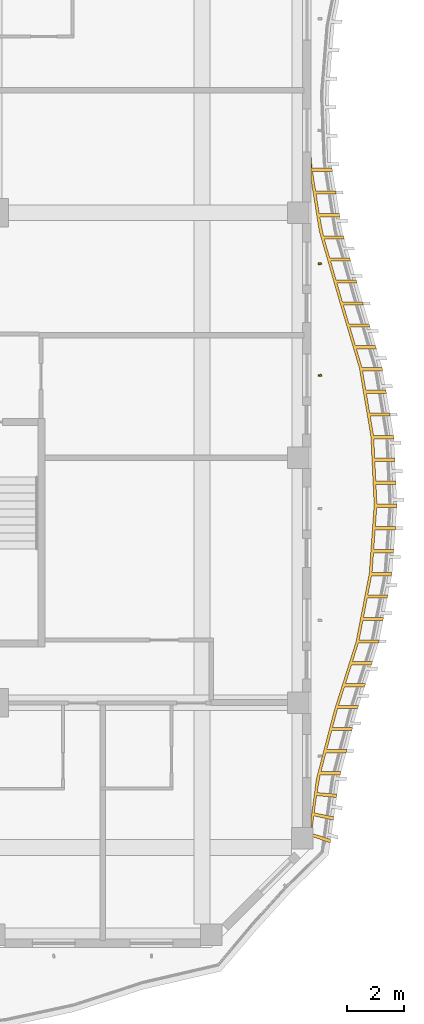
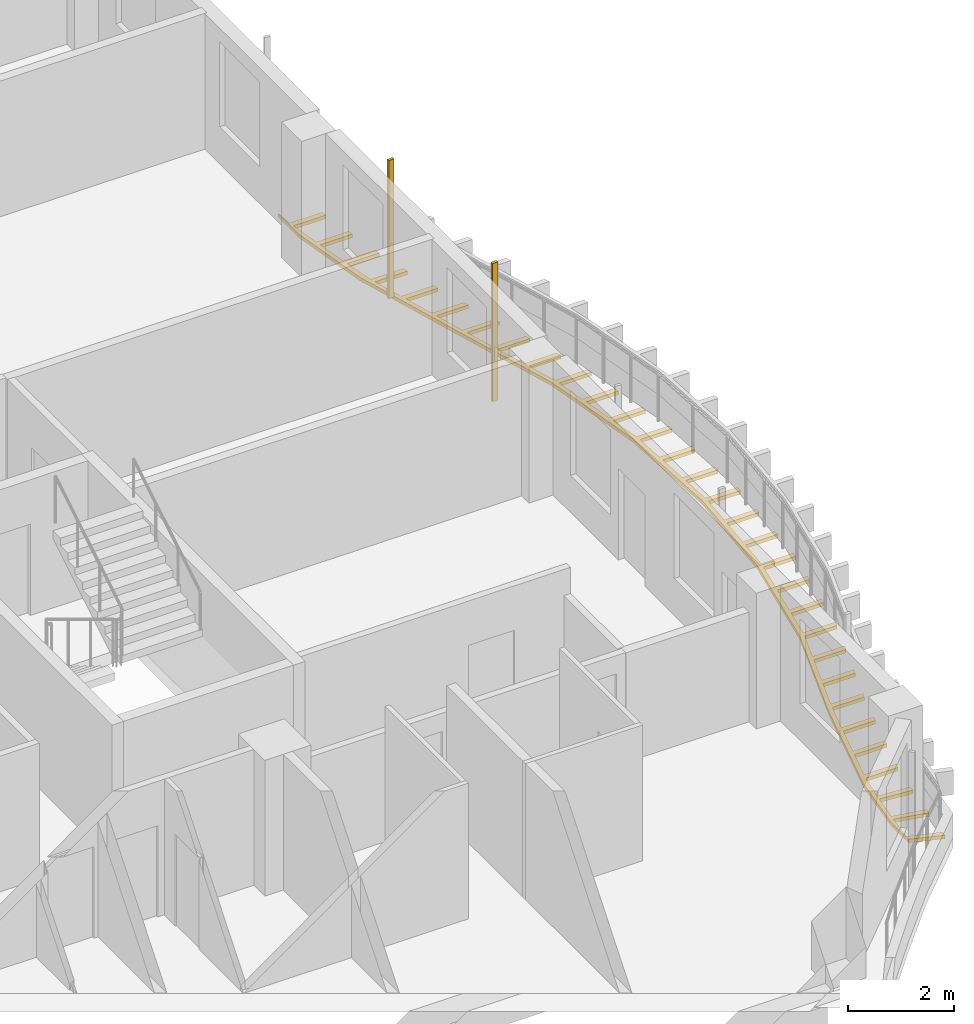
# One storey, part 18 of 22: 3 shading devices.
"""IFC4 building model written with IfcOpenShell, lengths in metres."""

import ifcopenshell
import ifcopenshell.guid

model = None  # the IFC model being written
_history = None  # IfcOwnerHistory: only IFC2X3 demands one
_inside = {}  # id of a spatial element -> (the spatial element, [elements in it])
_under = {}  # id of a project, library or spatial element -> (it, [spatial elements below it])
_declared = {}  # id of a project -> (the project, [libraries it declares])
_typed = {}  # id of a type object -> (the type object, [elements of that type])
_made_of = {}  # id of a material, layer set ... -> (it, [elements and type objects made of it])


def new_model(schema):
    """Start an empty IFC model of exactly this schema.

    Asked for "IFC4X3", IfcOpenShell would pick the latest addendum, in which some entities
    have other attributes; the version numbers below select the first issue.
    IFC2X3 requires an IfcOwnerHistory on every rooted entity: one is made here for all.
    """
    global model, _history
    if schema == "IFC4X3":
        model = ifcopenshell.file(schema_version=(4, 3, 0, 0))
    else:
        model = ifcopenshell.file(schema=schema)
    _inside.clear()
    _under.clear()
    _declared.clear()
    _typed.clear()
    _made_of.clear()
    _history = None
    if model.schema == "IFC2X3":
        org = make("IfcOrganization", Name="unknown")
        user = make(
            "IfcPersonAndOrganization",
            ThePerson=make("IfcPerson", FamilyName="unknown"),
            TheOrganization=org,
        )
        app = make(
            "IfcApplication",
            ApplicationDeveloper=org,
            Version="unknown",
            ApplicationFullName="unknown",
            ApplicationIdentifier="unknown",
        )
        _history = make(
            "IfcOwnerHistory",
            OwningUser=user,
            OwningApplication=app,
            ChangeAction="ADDED",
            CreationDate=0,
        )
    return model


def make(cls, **values):
    """One entity of the class cls with the attributes given. An attribute that is None is left unset."""
    return model.create_entity(
        cls, **{name: value for name, value in values.items() if value is not None}
    )


def rooted(cls, **values):
    """An entity with a GlobalId (a new one), such as an element, a storey or a relation."""
    return make(cls, GlobalId=ifcopenshell.guid.new(), OwnerHistory=_history, **values)


def si_unit(unit_type, name, prefix=None):
    """IfcSIUnit, for example si_unit("LENGTHUNIT", "METRE", prefix="MILLI")."""
    return make("IfcSIUnit", UnitType=unit_type, Prefix=prefix, Name=name)


def assignment(units):
    """IfcUnitAssignment: the units of a project."""
    return None if units is None else make("IfcUnitAssignment", Units=units)


def point(xyz):
    """IfcCartesianPoint."""
    return None if xyz is None else make("IfcCartesianPoint", Coordinates=xyz)


def direction(xyz):
    """IfcDirection."""
    return None if xyz is None else make("IfcDirection", DirectionRatios=xyz)


def frame(location, z_axis=None, x_axis=None):
    """IfcAxis2Placement3D, a coordinate frame: its origin and axes. An axis left out is left unset."""
    return make(
        "IfcAxis2Placement3D",
        Location=point(location),
        Axis=direction(z_axis),
        RefDirection=direction(x_axis),
    )


def frame_2d(location, x_axis=None):
    """IfcAxis2Placement2D, a coordinate frame in the plane: its origin and x axis."""
    return make(
        "IfcAxis2Placement2D", Location=point(location), RefDirection=direction(x_axis)
    )


def origin():
    """The frame at (0, 0, 0) with its axes left unset."""
    return frame((0.0, 0.0, 0.0))


def origin_2d():
    """The frame at (0, 0) in the plane with its x axis left unset."""
    return frame_2d((0.0, 0.0))


def place(relative_to, where):
    """IfcLocalPlacement: puts the frame where relative to a parent placement (None: the world)."""
    return make(
        "IfcLocalPlacement", PlacementRelTo=relative_to, RelativePlacement=where
    )


def context(
    kind, dimensions, precision=None, world=None, true_north=None, identifier=None
):
    """IfcGeometricRepresentationContext, for example the 3D "Model" context."""
    return make(
        "IfcGeometricRepresentationContext",
        ContextIdentifier=identifier,
        ContextType=kind,
        CoordinateSpaceDimension=dimensions,
        Precision=precision,
        WorldCoordinateSystem=world,
        TrueNorth=true_north,
    )


def subcontext(parent, identifier, kind, view, scale=None):
    """IfcGeometricRepresentationSubContext, for example "Body" below "Model"."""
    return make(
        "IfcGeometricRepresentationSubContext",
        ContextIdentifier=identifier,
        ContextType=kind,
        ParentContext=parent,
        TargetScale=scale,
        TargetView=view,
    )


def project(units=None, contexts=None):
    """IfcProject with its units and contexts."""
    return rooted(
        "IfcProject",
        Name="project",
        RepresentationContexts=contexts,
        UnitsInContext=assignment(units),
    )


def spatial(cls, under=None, at=None, **own):
    """A site, building, storey or space (cls), placed at a placement, below another one or the project."""
    s = rooted(cls, ObjectPlacement=at, **own)
    if under is not None:
        _under.setdefault(under.id(), (under, []))[1].append(s)
    return s


def polyline(points):
    """IfcPolyline through the points."""
    return make("IfcPolyline", Points=[point(p) for p in points])


def profile(cls, at=None, kind="AREA", **sizes):
    """A parametric profile (cls). Its sizes go by their IFC names, for example OverallWidth=200.0."""
    return make(cls, ProfileType=kind, Position=at, **sizes)


def rectangle(**sizes):
    """IfcRectangleProfileDef."""
    return profile("IfcRectangleProfileDef", **sizes)


def outline(outer, holes=None, kind="AREA"):
    """IfcArbitraryClosedProfileDef: a profile drawn as a closed curve; with holes, ...WithVoids."""
    if holes is None:
        return make("IfcArbitraryClosedProfileDef", ProfileType=kind, OuterCurve=outer)
    return make(
        "IfcArbitraryProfileDefWithVoids",
        ProfileType=kind,
        OuterCurve=outer,
        InnerCurves=holes,
    )


def extrude(swept, where, along, depth):
    """IfcExtrudedAreaSolid: the profile swept, set in the frame where, extruded along a direction by depth."""
    return make(
        "IfcExtrudedAreaSolid",
        SweptArea=swept,
        Position=where,
        ExtrudedDirection=direction(along),
        Depth=depth,
    )


def shape(context_of_items, identifier, shape_type, items):
    """IfcShapeRepresentation: the items that make up one representation, for example the "Body"."""
    return make(
        "IfcShapeRepresentation",
        ContextOfItems=context_of_items,
        RepresentationIdentifier=identifier,
        RepresentationType=shape_type,
        Items=items,
    )


def source(mapping_origin, context_of_items, identifier, shape_type, items):
    """IfcRepresentationMap: a shape defined once, which mapped items show again and again."""
    return make(
        "IfcRepresentationMap",
        MappingOrigin=mapping_origin,
        MappedRepresentation=shape(context_of_items, identifier, shape_type, items),
    )


def transform(
    local_origin,
    x_axis=None,
    y_axis=None,
    z_axis=None,
    scale=None,
    scale2=None,
    scale3=None,
    uniform=True,
):
    """IfcCartesianTransformationOperator3D, or its non-uniform kind. x_axis, y_axis, z_axis: its Axis1, 2, 3."""
    if uniform:
        return make(
            "IfcCartesianTransformationOperator3D",
            Axis1=direction(x_axis),
            Axis2=direction(y_axis),
            LocalOrigin=point(local_origin),
            Scale=scale,
            Axis3=direction(z_axis),
        )
    return make(
        "IfcCartesianTransformationOperator3DnonUniform",
        Axis1=direction(x_axis),
        Axis2=direction(y_axis),
        LocalOrigin=point(local_origin),
        Scale=scale,
        Axis3=direction(z_axis),
        Scale2=scale2,
        Scale3=scale3,
    )


def mapped(mapping_source, mapping_target):
    """IfcMappedItem: shows the shape of a source again, moved by a transform."""
    return make(
        "IfcMappedItem", MappingSource=mapping_source, MappingTarget=mapping_target
    )


def material(Name=None, Category=None):
    """IfcMaterial."""
    return make("IfcMaterial", Name=Name, Category=Category)


def layer(
    of_material, thickness, ventilated=None, Name=None, Category=None, Priority=None
):
    """IfcMaterialLayer: one layer of a wall or slab, of a material (None: an air gap)."""
    return make(
        "IfcMaterialLayer",
        Material=of_material,
        LayerThickness=thickness,
        IsVentilated=ventilated,
        Name=Name,
        Category=Category,
        Priority=Priority,
    )


def layer_set(layers, Name=None):
    """IfcMaterialLayerSet."""
    return make("IfcMaterialLayerSet", MaterialLayers=layers, LayerSetName=Name)


def material_profile(
    of_material, cross_section, Name=None, Category=None, Priority=None
):
    """IfcMaterialProfile: a cross section and its material."""
    return make(
        "IfcMaterialProfile",
        Name=Name,
        Material=of_material,
        Profile=cross_section,
        Priority=Priority,
        Category=Category,
    )


def profile_set(profiles, Name=None, composite=None):
    """IfcMaterialProfileSet."""
    return make(
        "IfcMaterialProfileSet",
        Name=Name,
        MaterialProfiles=profiles,
        CompositeProfile=composite,
    )


def made_of(thing, what):
    """Note that an element or type object is made of a material, layer set ...; save() writes the relation."""
    if what is not None:
        _made_of.setdefault(what.id(), (what, []))[1].append(thing)
    return thing


def type_object(cls, material=None, **own):
    """A type object (cls), such as IfcWallType, which elements share."""
    return made_of(rooted(cls, **own), material)


def element(
    cls,
    number,
    at=None,
    inside=None,
    cuts=None,
    type_object=None,
    material=None,
    context=None,
    identifier="Body",
    shape_type=None,
    held_by="IfcProductDefinitionShape",
    body=None,
    shapes=None,
    **own,
):
    """One element of the class cls, such as IfcWall. Its Tag is "e" and its number.

    at: its placement. inside: the storey or other place that contains it. cuts: it is an
    opening in that element (IfcRelVoidsElement). A single representation is given by context,
    identifier, shape_type and body (its items); several are given by shapes. held_by: the class
    of the entity that holds the representations. save() writes the other relations.
    """
    e = rooted(cls, Tag="e%d" % number, ObjectPlacement=at, **own)
    if body is not None:
        shapes = [shape(context, identifier, shape_type, body)]
    if shapes is not None:
        e.Representation = make(held_by, Representations=shapes)
    if inside is not None:
        _inside.setdefault(inside.id(), (inside, []))[1].append(e)
    if cuts is not None:
        rooted(
            "IfcRelVoidsElement", RelatingBuildingElement=cuts, RelatedOpeningElement=e
        )
    if type_object is not None:
        _typed.setdefault(type_object.id(), (type_object, []))[1].append(e)
    return made_of(e, material)


def aggregate(whole, parts):
    """IfcRelAggregates: a whole, such as a stair, and the parts it consists of."""
    return rooted("IfcRelAggregates", RelatingObject=whole, RelatedObjects=parts)


def save(model, path):
    """Write the relations noted so far, then the file.

    IfcRelAggregates (storeys below a building ...), IfcRelContainedInSpatialStructure (elements
    in a storey), IfcRelDefinesByType, IfcRelAssociatesMaterial and IfcRelDeclares: one each for
    every whole, place, type object, material and project.
    """
    for whole, parts in _under.values():
        aggregate(whole, parts)
    for where, things in _inside.values():
        rooted(
            "IfcRelContainedInSpatialStructure",
            RelatedElements=things,
            RelatingStructure=where,
        )
    for kind, things in _typed.values():
        rooted("IfcRelDefinesByType", RelatedObjects=things, RelatingType=kind)
    for what, things in _made_of.values():
        rooted("IfcRelAssociatesMaterial", RelatedObjects=things, RelatingMaterial=what)
    for by, libraries in _declared.values():
        rooted("IfcRelDeclares", RelatingContext=by, RelatedDefinitions=libraries)
    model.write(path)


model = new_model("IFC4")

# Units and contexts
model_context = context("Model", 3, precision=1e-05, world=origin(), true_north=direction((0.0, 1.0)))
body_context = subcontext(model_context, "Body", "Model", "MODEL_VIEW")
ifc_project = project(units=[si_unit("LENGTHUNIT", "METRE"), si_unit("AREAUNIT", "SQUARE_METRE"), si_unit("VOLUMEUNIT", "CUBIC_METRE"), si_unit("PLANEANGLEUNIT", "RADIAN"), si_unit("MASSUNIT", "GRAM", prefix="KILO")], contexts=[model_context])

# Site, building, storey
site_placement = place(None, origin())
site = spatial("IfcSite", under=ifc_project, at=site_placement, CompositionType="ELEMENT")
building_placement = place(site_placement, origin())
building = spatial("IfcBuilding", under=site, at=building_placement, Name="Kilnfold Tower and Market Hall", CompositionType="ELEMENT")
storey_placement = place(building_placement, frame((0.0, 0.0, 213.5)))
storey = spatial("IfcBuildingStorey", under=building, at=storey_placement, Name="L52", CompositionType="ELEMENT", Elevation=213.5)

# Shading devices
ifc_material_1 = material(Name="Terracotta", Category="masonry")
ifc_material_profile = material_profile(ifc_material_1, rectangle(XDim=0.06005859375, YDim=0.1201171875, at=origin_2d()), Name="BAG 60x120")
ifc_profile_set = profile_set([ifc_material_profile], Name="Terracotta")
shading_device_type_1 = type_object("IfcShadingDeviceType", Name="BAGUETTE", PredefinedType="USERDEFINED", material=ifc_profile_set)
shared_shape_1 = source(origin(), body_context, "Body", "SweptSolid", [
    extrude(rectangle(XDim=0.06005859375, YDim=0.1201171875, at=origin_2d()), origin(), (0.0, 0.0, 1.0), 3.179931640625),
])
for number, where, z_axis, x_axis, name in (
    (1, (31.550048828125, -6.25, 0.0), (0.0, 0.0, 1.0), (-0.098029298797, 0.995183529093, 0.0), "Terracotta baguette L52 E"),
    (2, (31.550048828125, -2.34375, 0.0), (0.0, 0.0, 1.0), (-0.079741372867, 0.996815586482, 0.0), "Terracotta baguette L52 E"),
):
    element("IfcShadingDevice", number, at=place(storey_placement, frame(where, z_axis=z_axis, x_axis=x_axis)), inside=storey, type_object=shading_device_type_1, Name=name, ObjectType="BAGUETTE", PredefinedType="USERDEFINED", context=body_context, shape_type="MappedRepresentation", body=[
        mapped(shared_shape_1, transform((0.0, 0.0, 0.0))),
    ])
ifc_material_2 = material(Name="Bronze anodised aluminium", Category="aluminium")
ifc_layer = layer(ifc_material_2, 0.080078125)
ifc_layer_set = layer_set([ifc_layer], Name="Bronze anodised aluminium")
shading_device_type_2 = type_object("IfcShadingDeviceType", Name="BRONZE SLAT SOFFIT 80", PredefinedType="USERDEFINED", material=ifc_layer_set)
shared_shape_2 = source(origin(), body_context, "Body", "SweptSolid", [
    extrude(outline(polyline([(31.251708984375, -22.36279296875), (31.25, -21.6943359375), (31.4287109375, -20.355224609375), (32.05419921875, -17.96044921875), (32.8134765625, -15.56591796875), (33.277587890625, -13.171142578125), (33.448486328125, -10.7763671875), (33.334228515625, -8.381591796875), (32.9296875, -5.98681640625), (32.216552734375, -3.592041015625), (31.528076171875, -1.197509765625), (31.25, 0.5478515625), (31.25, 1.381103515625), (31.279052734375, 0.992919921875), (31.97900390625, 0.992919921875), (31.998046875, 0.874267578125), (31.298095703125, 0.874267578125), (31.405029296875, 0.20263671875), (32.10498046875, 0.20263671875), (32.123779296875, 0.084228515625), (31.423828125, 0.084228515625), (31.531005859375, -0.58740234375), (32.23095703125, -0.58740234375), (32.249755859375, -0.705810546875), (31.5498046875, -0.705810546875), (31.678466796875, -1.37255859375), (32.37841796875, -1.37255859375), (32.41162109375, -1.48779296875), (31.711669921875, -1.48779296875), (31.8994140625, -2.141357421875), (32.599609375, -2.141357421875), (32.6328125, -2.256591796875), (31.9326171875, -2.256591796875), (32.12060546875, -2.91015625), (32.820556640625, -2.91015625), (32.853759765625, -3.025390625), (32.15380859375, -3.025390625), (32.34228515625, -3.6787109375), (33.04248046875, -3.6787109375), (33.07666015625, -3.793701171875), (32.376708984375, -3.793701171875), (32.57080078125, -4.445556640625), (33.270751953125, -4.445556640625), (33.304931640625, -4.560546875), (32.60498046875, -4.560546875), (32.799072265625, -5.21240234375), (33.4990234375, -5.21240234375), (33.533203125, -5.327392578125), (32.833251953125, -5.327392578125), (33.02734375, -5.97900390625), (33.727294921875, -5.97900390625), (33.729736328125, -5.98681640625), (33.748291015625, -6.09716796875), (33.04833984375, -6.09716796875), (33.16162109375, -6.767578125), (33.861572265625, -6.767578125), (33.881591796875, -6.885986328125), (33.181640625, -6.885986328125), (33.294921875, -7.556396484375), (33.994873046875, -7.556396484375), (34.014892578125, -7.6748046875), (33.31494140625, -7.6748046875), (33.42822265625, -8.34521484375), (34.128173828125, -8.34521484375), (34.13427734375, -8.381591796875), (34.13818359375, -8.464599609375), (33.438232421875, -8.464599609375), (33.470703125, -9.143798828125), (34.170654296875, -9.143798828125), (34.176513671875, -9.263671875), (33.476318359375, -9.263671875), (33.5087890625, -9.943115234375), (34.208740234375, -9.943115234375), (34.214599609375, -10.062744140625), (33.514404296875, -10.062744140625), (33.547119140625, -10.741943359375), (34.2470703125, -10.741943359375), (34.24853515625, -10.7763671875), (34.242431640625, -10.86181640625), (33.54248046875, -10.86181640625), (33.493896484375, -11.5400390625), (34.194091796875, -11.5400390625), (34.185546875, -11.659912109375), (33.485595703125, -11.659912109375), (33.43701171875, -12.337890625), (34.136962890625, -12.337890625), (34.12841796875, -12.457763671875), (33.428466796875, -12.457763671875), (33.3798828125, -13.135986328125), (34.080078125, -13.135986328125), (34.077392578125, -13.171142578125), (34.061279296875, -13.25439453125), (33.361328125, -13.25439453125), (33.23193359375, -13.921875), (33.931884765625, -13.921875), (33.9091796875, -14.039794921875), (33.209228515625, -14.039794921875), (33.079833984375, -14.707275390625), (33.77978515625, -14.707275390625), (33.757080078125, -14.8251953125), (33.056884765625, -14.8251953125), (32.927734375, -15.49267578125), (33.627685546875, -15.49267578125), (33.613525390625, -15.56591796875), (33.599609375, -15.609130859375), (32.899658203125, -15.609130859375), (32.694091796875, -16.25732421875), (33.394287109375, -16.25732421875), (33.35791015625, -16.371826171875), (32.657958984375, -16.371826171875), (32.452392578125, -17.02001953125), (33.15234375, -17.02001953125), (33.1162109375, -17.134521484375), (32.416015625, -17.134521484375), (32.210693359375, -17.78271484375), (32.91064453125, -17.78271484375), (32.874267578125, -17.89697265625), (32.17431640625, -17.89697265625), (31.999267578125, -18.553955078125), (32.69921875, -18.553955078125), (32.6689453125, -18.670166015625), (31.968994140625, -18.670166015625), (31.797119140625, -19.327880859375), (32.4970703125, -19.327880859375), (32.466796875, -19.444091796875), (31.7666015625, -19.444091796875), (31.594970703125, -20.10205078125), (32.294921875, -20.10205078125), (32.264404296875, -20.218017578125), (31.564453125, -20.218017578125), (31.455810546875, -20.83349609375), (32.153564453125, -20.88818359375), (32.13671875, -21.007080078125), (31.43994140625, -20.940185546875), (31.355224609375, -21.543701171875), (32.041748046875, -21.680419921875), (32.025146484375, -21.79931640625), (31.341064453125, -21.650146484375), (31.2646484375, -22.255615234375), (31.93017578125, -22.47265625), (31.913330078125, -22.59130859375), (31.251708984375, -22.36279296875)])), origin(), (0.0, 0.0, 1.0), 0.080078125),
])
shading_device_placement = place(storey_placement, frame((0.0, 0.0, -0.300048828125)))
element("IfcShadingDevice", 3, at=shading_device_placement, inside=storey, type_object=shading_device_type_2, Name="Balcony soffit slats L52", ObjectType="SLAT", PredefinedType="USERDEFINED", context=body_context, shape_type="MappedRepresentation", body=[
    mapped(shared_shape_2, transform((0.0, 0.0, 0.0))),
])

save(model, "model.ifc")
